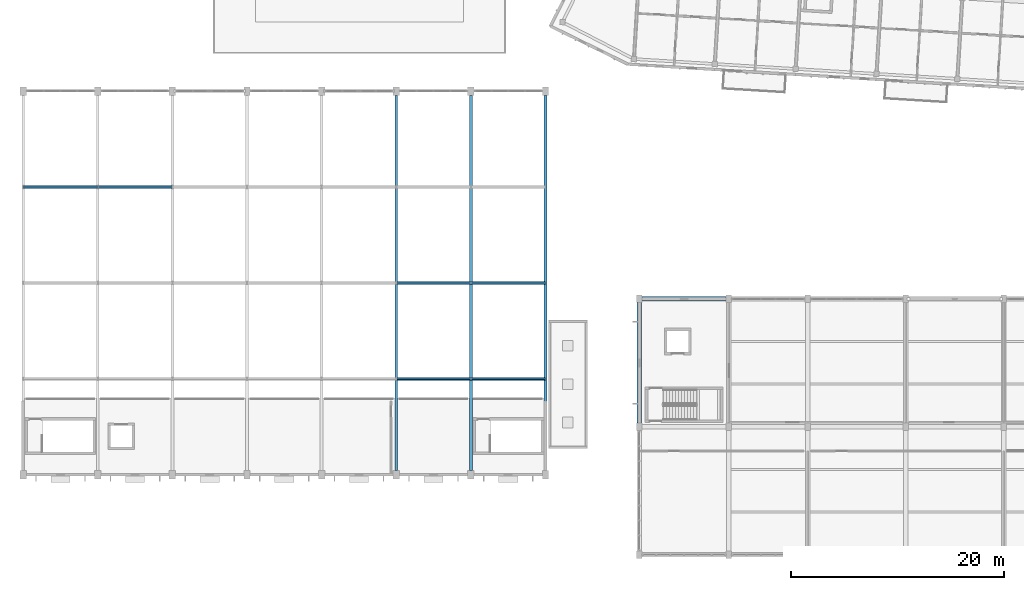
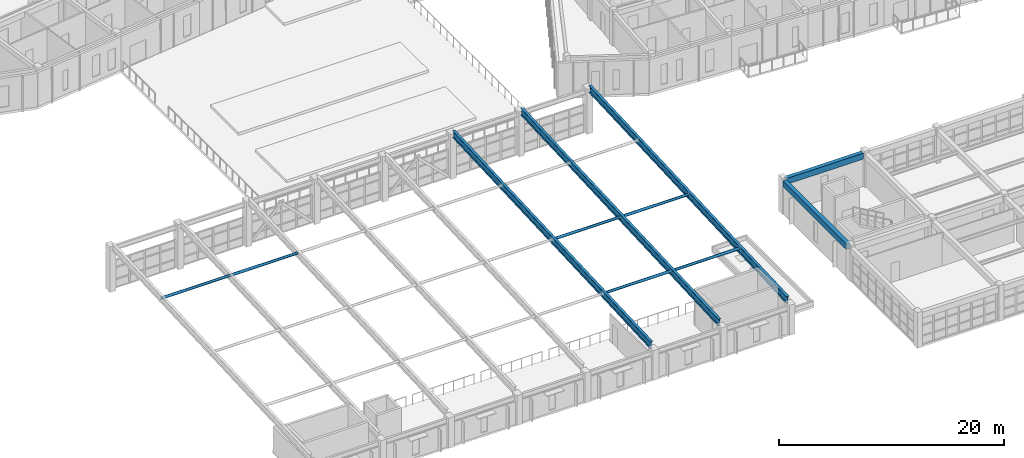
# One storey, part 9 of 150: 6 members, 5 beams.
"""IFC4 building model written with IfcOpenShell, lengths in metres."""

from ifc_helpers import new_model, si_unit, direction, frame, origin, origin_2d, place, context, subcontext, project, spatial, rectangle, hollow_circle, i_section, extrude, material, material_profile, profile_set, type_object, element, save


model = new_model("IFC4")

# Units and contexts
model_context = context("Model", 3, precision=1e-05, world=origin(), true_north=direction((0.0, 1.0)))
body_context = subcontext(model_context, "Body", "Model", "MODEL_VIEW")
ifc_project = project(units=[si_unit("LENGTHUNIT", "METRE"), si_unit("AREAUNIT", "SQUARE_METRE"), si_unit("VOLUMEUNIT", "CUBIC_METRE"), si_unit("PLANEANGLEUNIT", "RADIAN"), si_unit("MASSUNIT", "GRAM", prefix="KILO")], contexts=[model_context])

# Site, building, storey
site_placement = place(None, origin())
site = spatial("IfcSite", under=ifc_project, at=site_placement, CompositionType="ELEMENT")
building_placement = place(site_placement, origin())
building = spatial("IfcBuilding", under=site, at=building_placement, Name="Kestramere Prow Commons", CompositionType="ELEMENT")
storey_placement = place(building_placement, frame((0.0, 0.0, 4.5)))
storey = spatial("IfcBuildingStorey", under=building, at=storey_placement, Name="L01", CompositionType="ELEMENT", Elevation=4.5)

# Beams
ifc_material_1 = material(Name="Steel S355JR", Category="steel")
ifc_material_profile_1 = material_profile(ifc_material_1, i_section(OverallWidth=0.2666015625, OverallDepth=0.76220703125, WebThickness=0.014404296875, FlangeThickness=0.021484375, FilletRadius=0.0166015625, at=origin_2d()), Name="UB 762x267x173")
ifc_profile_set_1 = profile_set([ifc_material_profile_1], Name="Steel S355JR")
beam_type_1 = type_object("IfcBeamType", Name="BM-FP-VAL UB 762x267x173", PredefinedType="BEAM", material=ifc_profile_set_1)
for number, where, z_axis, x_axis, name in (
    (1, (37.199951171875, 7.89990234375, 3.28466796875), (0.0, 0.998951067049, 0.045790453614), (-1.0, 0.0, 0.0), "Hall Folded-Plate Valley Girder 6"),
    (2, (44.199951171875, 7.89990234375, 3.28466796875), (0.0, 0.998951067049, 0.045790453614), (-1.0, 0.0, 0.0), "Hall Folded-Plate Valley Girder 7"),
):
    element("IfcBeam", number, at=place(storey_placement, frame(where, z_axis=z_axis, x_axis=x_axis)), inside=storey, type_object=beam_type_1, Name=name, PredefinedType="BEAM", context=body_context, shape_type="SweptSolid", body=[
        extrude(i_section(OverallWidth=0.2666015625, OverallDepth=0.76220703125, WebThickness=0.014404296875, FlangeThickness=0.021484375, FilletRadius=0.0166015625, at=origin_2d()), origin(), (0.0, 0.0, 1.0), 35.237060546875),
    ])
ifc_material_profile_2 = material_profile(ifc_material_1, i_section(OverallWidth=0.2666015625, OverallDepth=0.76220703125, WebThickness=0.014404296875, FlangeThickness=0.021484375, FilletRadius=0.0166015625, at=origin_2d()), Name="UB 762x267x173")
ifc_profile_set_2 = profile_set([ifc_material_profile_2], Name="Steel S355JR")
beam_type_2 = type_object("IfcBeamType", Name="BM-FP-VAL UB 762x267x173 (EX)", PredefinedType="BEAM", material=ifc_profile_set_2)
beam_1_placement = place(storey_placement, frame((51.199951171875, 7.89990234375, 3.28466796875), z_axis=(0.0, 0.998951067049, 0.045790453614), x_axis=(-1.0, 0.0, 0.0)))
element("IfcBeam", 3, at=beam_1_placement, inside=storey, type_object=beam_type_2, Name="Hall Folded-Plate Valley Girder 8", PredefinedType="BEAM", context=body_context, shape_type="SweptSolid", body=[
    extrude(i_section(OverallWidth=0.2666015625, OverallDepth=0.76220703125, WebThickness=0.014404296875, FlangeThickness=0.021484375, FilletRadius=0.0166015625, at=origin_2d()), origin(), (0.0, 0.0, 1.0), 35.237060546875),
])
ifc_material_2 = material(Name="Precast concrete C40/50", Category="concrete")
ifc_material_profile_3 = material_profile(ifc_material_2, rectangle(XDim=0.39990234375, YDim=0.64990234375, at=origin_2d()), Name="PC-BM 400x650")
ifc_profile_set_3 = profile_set([ifc_material_profile_3], Name="Precast concrete C40/50")
beam_type_3 = type_object("IfcBeamType", Name="BM-MK-01 PC-BM 400x650 (EX)", PredefinedType="BEAM", material=ifc_profile_set_3)
beam_2_placement = place(storey_placement, frame((60.25, 24.0, 3.324951171875), z_axis=(1.0, 0.0, 0.0), x_axis=(0.0, 1.0, 0.0)))
element("IfcBeam", 4, at=beam_2_placement, inside=storey, type_object=beam_type_3, Name="Market Spine L01 Beam X 3-1", PredefinedType="BEAM", context=body_context, shape_type="SweptSolid", body=[
    extrude(rectangle(XDim=0.39990234375, YDim=0.64990234375, at=origin_2d()), origin(), (0.0, 0.0, 1.0), 7.89990234375),
])
beam_3_placement = place(storey_placement, frame((60.0, 12.35009765625, 3.324951171875), z_axis=(0.0, 1.0, 0.0), x_axis=(-1.0, 0.0, 0.0)))
element("IfcBeam", 5, at=beam_3_placement, inside=storey, type_object=beam_type_3, Name="Market Spine L01 Beam Y 1-2", PredefinedType="BEAM", context=body_context, shape_type="SweptSolid", body=[
    extrude(rectangle(XDim=0.39990234375, YDim=0.64990234375, at=origin_2d()), origin(), (0.0, 0.0, 1.0), 11.2998046875),
])

# Members
ifc_material_profile_4 = material_profile(ifc_material_1, hollow_circle(Radius=0.136474609375, WallThickness=0.012451171875, at=origin_2d()), Name="CHS 273x12.5")
ifc_profile_set_4 = profile_set([ifc_material_profile_4], Name="Steel S355JR")
member_type = type_object("IfcMemberType", Name="BRHL-02 CHS 273x12.5", PredefinedType="BRACE", material=ifc_profile_set_4)
for number, where, z_axis, x_axis, name in (
    (6, (2.2080078125, 34.5, 4.50390625), (1.0, 0.0, 0.0), (0.0, 1.0, 0.0), "Hall Folded-Roof Tie Strut 1-3"),
    (7, (9.2080078125, 34.5, 4.50390625), (1.0, 0.0, 0.0), (0.0, 1.0, 0.0), "Hall Folded-Roof Tie Strut 2-3"),
    (8, (37.2080078125, 16.5, 3.678955078125), (1.0, 0.0, 0.0), (0.0, 1.0, 0.0), "Hall Folded-Roof Tie Strut 6-1"),
    (9, (37.2080078125, 25.5, 4.09130859375), (1.0, 0.0, 0.0), (0.0, 1.0, 0.0), "Hall Folded-Roof Tie Strut 6-2"),
    (10, (44.2080078125, 16.5, 3.678955078125), (1.0, 0.0, 0.0), (0.0, 1.0, 0.0), "Hall Folded-Roof Tie Strut 7-1"),
    (11, (44.2080078125, 25.5, 4.09130859375), (1.0, 0.0, 0.0), (0.0, 1.0, 0.0), "Hall Folded-Roof Tie Strut 7-2"),
):
    element("IfcMember", number, at=place(storey_placement, frame(where, z_axis=z_axis, x_axis=x_axis)), inside=storey, type_object=member_type, Name=name, PredefinedType="BRACE", context=body_context, shape_type="SweptSolid", body=[
        extrude(hollow_circle(Radius=0.136474609375, WallThickness=0.012451171875, at=origin_2d()), origin(), (0.0, 0.0, 1.0), 6.98388671875),
    ])

save(model, "model.ifc")
